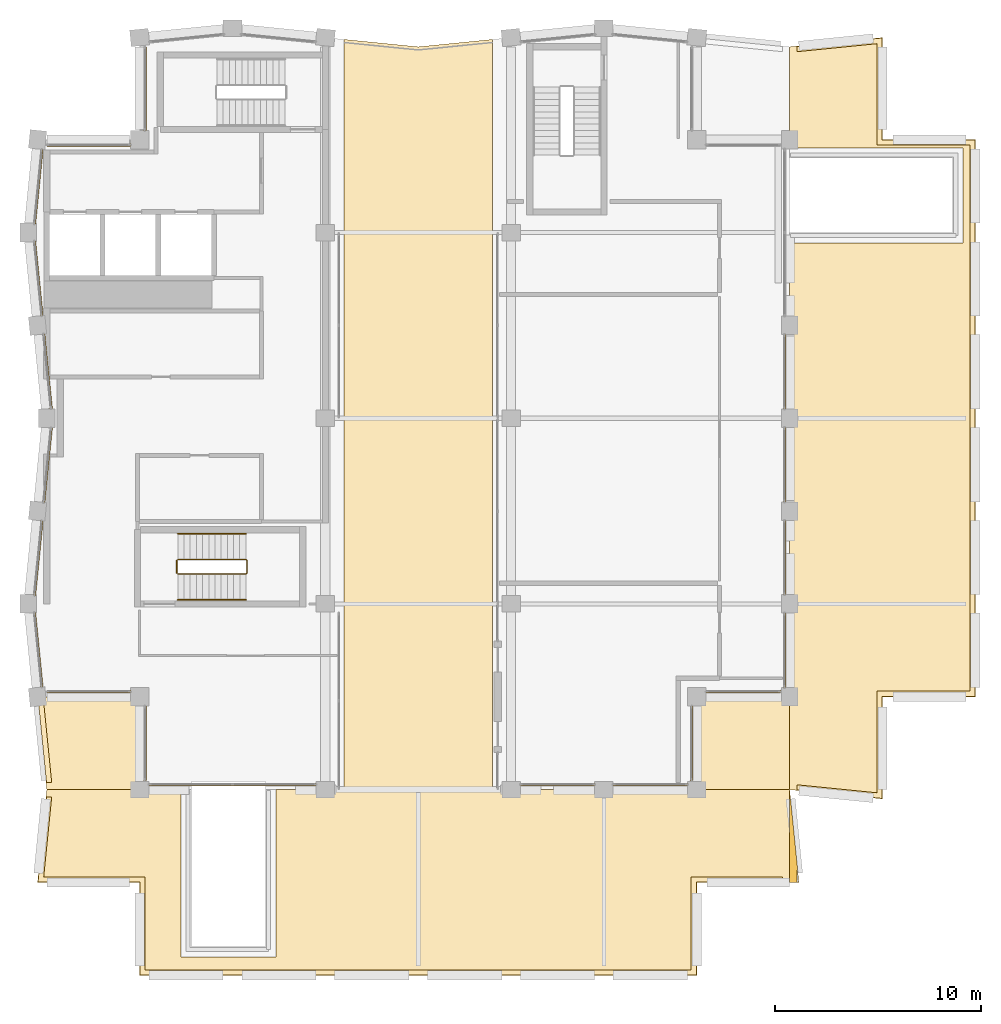
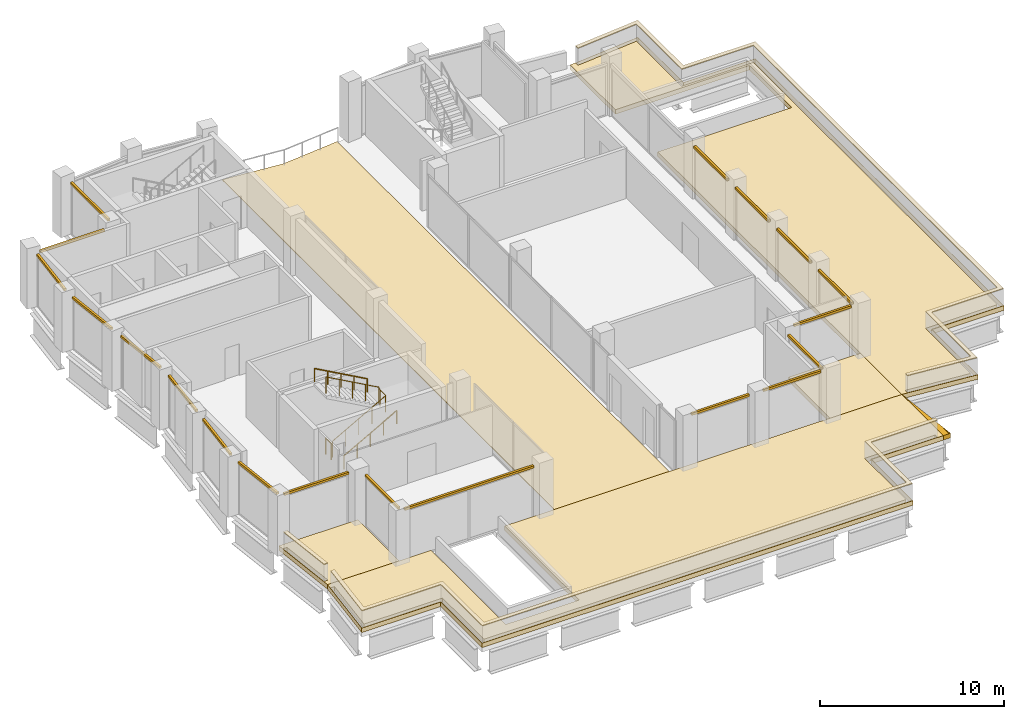
# One storey, part 13 of 14: 28 coverings, 4 railings.
"""IFC4 building model written with IfcOpenShell, lengths in metres."""

from ifc_helpers import new_model, si_unit, direction, frame, origin, origin_2d, place, context, subcontext, project, spatial, polyline, rectangle, circle, outline, extrude, material, layer, layer_set, type_object, element, save


model = new_model("IFC4")

# Units and contexts
model_context = context("Model", 3, precision=1e-05, world=origin(), true_north=direction((0.0, 1.0)))
body_context = subcontext(model_context, "Body", "Model", "MODEL_VIEW")
ifc_project = project(units=[si_unit("LENGTHUNIT", "METRE"), si_unit("AREAUNIT", "SQUARE_METRE"), si_unit("VOLUMEUNIT", "CUBIC_METRE"), si_unit("PLANEANGLEUNIT", "RADIAN"), si_unit("MASSUNIT", "GRAM", prefix="KILO")], contexts=[model_context])

# Site, building, storey
site_placement = place(None, origin())
site = spatial("IfcSite", under=ifc_project, at=site_placement, CompositionType="ELEMENT")
building_placement = place(site_placement, origin())
building = spatial("IfcBuilding", under=site, at=building_placement, Name="Brondeck Convention Tower", CompositionType="ELEMENT")
storey_placement = place(building_placement, frame((0.0, 0.0, 282.800048828125)))
storey = spatial("IfcBuildingStorey", under=building, at=storey_placement, Name="L70", CompositionType="ELEMENT", Elevation=282.800048828125)

# Coverings
ifc_material_1 = material(Name="Aluminium, bronze anodised", Category="aluminium")
ifc_layer_1 = layer(ifc_material_1, 0.10009765625)
ifc_layer_set_1 = layer_set([ifc_layer_1], Name="Curtain wall spandrel panel, bronze anodised aluminium")
covering_type_1 = type_object("IfcCoveringType", Name="Curtain wall spandrel panel, bronze anodised aluminium", PredefinedType="CLADDING", material=ifc_layer_set_1)
covering_1_placement = place(storey_placement, frame((9.0, 27.25, 3.35009765625), z_axis=(0.0, 0.0, 1.0), x_axis=(-1.0, 0.0, 0.0)))
element("IfcCovering", 1, at=covering_1_placement, inside=storey, type_object=covering_type_1, Name="ENV-CW4-L70-K1-K-S-02-SP", PredefinedType="CLADDING", context=body_context, shape_type="SweptSolid", body=[
    extrude(rectangle(XDim=8.10009765625, YDim=0.139892578125, at=origin_2d()), origin(), (0.0, 0.0, 1.0), 0.14990234375),
])
for number, where, z_axis, x_axis, name in (
    (2, (4.75, 60.97509765625, 3.35009765625), (0.0, 0.0, 1.0), (0.0, 1.0, 0.0), "ENV-CW4-L70-K1-NC-NW-01-SP"),
    (3, (2.02490234375, 58.25, 3.35009765625), (0.0, 0.0, 1.0), (1.0, 0.0, 0.0), "ENV-CW4-L70-K1-NC-NW-02-SP"),
):
    element("IfcCovering", number, at=place(storey_placement, frame(where, z_axis=z_axis, x_axis=x_axis)), inside=storey, type_object=covering_type_1, Name=name, PredefinedType="CLADDING", context=body_context, shape_type="SweptSolid", body=[
        extrude(rectangle(XDim=4.050048828125, YDim=0.139892578125, at=origin_2d()), origin(), (0.0, 0.0, 1.0), 0.14990234375),
    ])
for number, where, z_axis, x_axis, name in (
    (4, (-0.42626953125, 56.22509765625, 3.35009765625), (0.0, 0.0, 1.0), (0.0995038382, 0.995037178292, 0.0), "ENV-CW4-L70-K1-B-W-01-SP"),
    (5, (-0.42626953125, 51.77490234375, 3.35009765625), (0.0, 0.0, 1.0), (-0.0995038382, 0.995037178292, 0.0), "ENV-CW4-L70-K1-B-W-02-SP"),
    (6, (0.023681640625, 47.27490234375, 3.35009765625), (0.0, 0.0, 1.0), (-0.0995038382, 0.995037178292, 0.0), "ENV-CW4-L70-K1-B-W-03-SP"),
    (7, (0.023681640625, 42.72509765625, 3.35009765625), (0.0, 0.0, 1.0), (0.0995038382, 0.995037178292, 0.0), "ENV-CW4-L70-K1-B-W-04-SP"),
    (8, (-0.42626953125, 38.22509765625, 3.35009765625), (0.0, 0.0, 1.0), (0.0995038382, 0.995037178292, 0.0), "ENV-CW4-L70-K1-B-W-05-SP"),
    (9, (-0.42626953125, 33.77490234375, 3.35009765625), (0.0, 0.0, 1.0), (-0.0995038382, 0.995037178292, 0.0), "ENV-CW4-L70-K1-B-W-06-SP"),
):
    element("IfcCovering", number, at=place(storey_placement, frame(where, z_axis=z_axis, x_axis=x_axis)), inside=storey, type_object=covering_type_1, Name=name, PredefinedType="CLADDING", context=body_context, shape_type="SweptSolid", body=[
        extrude(rectangle(XDim=3.622314453125, YDim=0.139892578125, at=origin_2d()), origin(), (0.0, 0.0, 1.0), 0.14990234375),
    ])
covering_2_placement = place(storey_placement, frame((2.02490234375, 31.75, 3.35009765625), z_axis=(0.0, 0.0, 1.0), x_axis=(-1.0, 0.0, 0.0)))
element("IfcCovering", 10, at=covering_2_placement, inside=storey, type_object=covering_type_1, Name="ENV-CW4-L70-K1-NC-KSW-01-SP", PredefinedType="CLADDING", context=body_context, shape_type="SweptSolid", body=[
    extrude(rectangle(XDim=4.050048828125, YDim=0.139892578125, at=origin_2d()), origin(), (0.0, 0.0, 1.0), 0.14990234375),
])
for number, where, z_axis, x_axis, name in (
    (11, (4.75, 29.25, 3.35009765625), (0.0, 0.0, 1.0), (0.0, 1.0, 0.0), "ENV-CW4-L70-K1-NC-KSW-02-SP"),
    (12, (24.75, 27.25, 3.35009765625), (0.0, 0.0, 1.0), (-1.0, 0.0, 0.0), "ENV-CW4-L70-K2-K-S-00-SP"),
    (13, (29.25, 27.25, 3.35009765625), (0.0, 0.0, 1.0), (-1.0, 0.0, 0.0), "ENV-CW4-L70-K2-K-S-01-SP"),
    (14, (31.25, 29.25, 3.35009765625), (0.0, 0.0, 1.0), (0.0, -1.0, 0.0), "ENV-CW4-L70-K2-NC-KSE-01-SP"),
    (15, (33.75, 31.75, 3.35009765625), (0.0, 0.0, 1.0), (-1.0, 0.0, 0.0), "ENV-CW4-L70-K2-NC-KSE-02-SP"),
    (16, (35.75, 33.75, 3.35009765625), (0.0, 0.0, 1.0), (0.0, -1.0, 0.0), "ENV-CW4-L70-K2-K-E-01-SP"),
    (17, (35.75, 38.25, 3.35009765625), (0.0, 0.0, 1.0), (0.0, -1.0, 0.0), "ENV-CW4-L70-K2-K-E-02-SP"),
    (18, (35.75, 42.75, 3.35009765625), (0.0, 0.0, 1.0), (0.0, -1.0, 0.0), "ENV-CW4-L70-K2-K-E-03-SP"),
    (19, (35.75, 47.25, 3.35009765625), (0.0, 0.0, 1.0), (0.0, -1.0, 0.0), "ENV-CW4-L70-K2-K-E-04-SP"),
):
    element("IfcCovering", number, at=place(storey_placement, frame(where, z_axis=z_axis, x_axis=x_axis)), inside=storey, type_object=covering_type_1, Name=name, PredefinedType="CLADDING", context=body_context, shape_type="SweptSolid", body=[
        extrude(rectangle(XDim=3.60009765625, YDim=0.139892578125, at=origin_2d()), origin(), (0.0, 0.0, 1.0), 0.14990234375),
    ])
ifc_material_2 = material(Name="Precast concrete C50/60", Category="concrete")
ifc_layer_2 = layer(ifc_material_2, 0.050048828125)
ifc_layer_set_2 = layer_set([ifc_layer_2], Name="Parapet coping, precast")
covering_type_2 = type_object("IfcCoveringType", Name="Parapet coping, precast", PredefinedType="MOLDING", material=ifc_layer_set_2)
covering_3_placement = place(storey_placement, frame((0.0, 0.0, 1.39990234375)))
element("IfcCovering", 20, at=covering_3_placement, inside=storey, type_object=covering_type_2, Name="ENV-S4-A-PA-01-CP", PredefinedType="MOLDING", context=body_context, shape_type="SweptSolid", body=[
    extrude(outline(polyline([(40.47998046875, 63.427978515625), (36.35009765625, 63.014892578125), (36.35009765625, 62.763671875), (40.22998046875, 63.151611328125), (40.22998046875, 58.22998046875), (44.72998046875, 58.22998046875), (44.72998046875, 31.77001953125), (40.22998046875, 31.77001953125), (40.22998046875, 26.848388671875), (36.35009765625, 27.236328125), (36.35009765625, 26.985107421875), (40.47998046875, 26.572021484375), (40.47998046875, 31.52001953125), (44.97998046875, 31.52001953125), (44.97998046875, 58.47998046875), (40.47998046875, 58.47998046875), (40.47998046875, 63.427978515625)])), origin(), (0.0, 0.0, 1.0), 0.050048828125),
])
covering_4_placement = place(storey_placement, frame((0.0, 0.0, 1.39990234375)))
element("IfcCovering", 21, at=covering_4_placement, inside=storey, type_object=covering_type_2, Name="ENV-S4-B-PA-01-CP", PredefinedType="MOLDING", context=body_context, shape_type="SweptSolid", body=[
    extrude(outline(polyline([(4.52001953125, 18.02001953125), (31.47998046875, 18.02001953125), (31.47998046875, 22.52001953125), (35.64990234375, 22.52001953125), (35.64990234375, 22.77001953125), (31.22998046875, 22.77001953125), (31.22998046875, 18.27001953125), (4.77001953125, 18.27001953125), (4.77001953125, 22.77001953125), (-0.151611328125, 22.77001953125), (0.236328125, 26.64990234375), (-0.014892578125, 26.64990234375), (-0.427978515625, 22.52001953125), (4.52001953125, 22.52001953125), (4.52001953125, 18.02001953125)])), origin(), (0.0, 0.0, 1.0), 0.050048828125),
])
covering_5_placement = place(storey_placement, frame((0.0, 0.0, 1.39990234375)))
element("IfcCovering", 22, at=covering_5_placement, inside=storey, type_object=covering_type_2, Name="ENV-S4-C1-PA-01-CP", PredefinedType="MOLDING", context=body_context, shape_type="SweptSolid", body=[
    extrude(outline(polyline([(-0.39501953125, 31.14990234375), (-0.014892578125, 27.35009765625), (0.236328125, 27.35009765625), (-0.143798828125, 31.14990234375), (-0.39501953125, 31.14990234375)])), origin(), (0.0, 0.0, 1.0), 0.050048828125),
])
ifc_material_3 = material(Name="Bitumen membrane")
ifc_layer_3 = layer(ifc_material_3, 0.02001953125, Name="Waterproofing")
ifc_material_4 = material(Name="Mineral wool")
ifc_layer_4 = layer(ifc_material_4, 0.280029296875, Name="Insulation")
ifc_layer_set_3 = layer_set([ifc_layer_3, ifc_layer_4], Name="Roof membrane and insulation")
covering_type_3 = type_object("IfcCoveringType", Name="Roof membrane and insulation", PredefinedType="ROOFING", material=ifc_layer_set_3)
covering_6_placement = place(storey_placement, origin())
element("IfcCovering", 23, at=covering_6_placement, inside=storey, type_object=covering_type_3, Name="ENV-S4-A-RF1", PredefinedType="ROOFING", context=body_context, shape_type="SweptSolid", body=[
    extrude(outline(polyline([(36.0, 53.5), (36.0, 31.5), (36.0, 27.0), (40.5, 26.550048828125), (40.5, 27.0), (40.5, 31.5), (45.0, 31.5), (45.0, 58.5), (40.5, 58.5), (40.5, 63.449951171875), (36.0, 63.0), (36.0, 58.5), (36.0, 58.10009765625), (44.39990234375, 58.10009765625), (44.39990234375, 53.5), (36.0, 53.5)]), holes=[polyline([(36.35009765625, 63.014892578125), (40.47998046875, 63.427978515625), (40.47998046875, 58.47998046875), (44.97998046875, 58.47998046875), (44.97998046875, 31.52001953125), (40.47998046875, 31.52001953125), (40.47998046875, 26.572021484375), (36.35009765625, 26.985107421875), (36.35009765625, 27.236328125), (40.22998046875, 26.848388671875), (40.22998046875, 31.77001953125), (44.72998046875, 31.77001953125), (44.72998046875, 58.22998046875), (40.22998046875, 58.22998046875), (40.22998046875, 63.151611328125), (36.35009765625, 62.763671875), (36.35009765625, 63.014892578125)])]), origin(), (0.0, 0.0, 1.0), 0.300048828125),
])
covering_7_placement = place(storey_placement, origin())
element("IfcCovering", 24, at=covering_7_placement, inside=storey, type_object=covering_type_3, Name="ENV-S4-A-RF2", PredefinedType="ROOFING", context=body_context, shape_type="SweptSolid", body=[
    extrude(outline(polyline([(36.0, 22.5), (36.449951171875, 22.5), (36.0, 27.0), (36.0, 22.5)]), holes=[polyline([(36.427978515625, 22.52001953125), (36.35009765625, 22.52001953125), (36.35009765625, 23.299072265625), (36.427978515625, 22.52001953125)])]), origin(), (0.0, 0.0, 1.0), 0.300048828125),
])
covering_8_placement = place(storey_placement, origin())
element("IfcCovering", 25, at=covering_8_placement, inside=storey, type_object=covering_type_3, Name="ENV-S4-B-RF1", PredefinedType="ROOFING", context=body_context, shape_type="SweptSolid", body=[
    extrude(outline(polyline([(4.5, 18.0), (31.5, 18.0), (31.5, 22.5), (36.0, 22.5), (36.0, 27.0), (31.5, 27.0), (21.60009765625, 27.0), (14.39990234375, 27.0), (11.10009765625, 27.0), (11.10009765625, 18.89990234375), (6.5, 18.89990234375), (6.5, 27.0), (4.5, 27.0), (0.0, 27.0), (-0.449951171875, 22.5), (4.5, 22.5), (4.5, 18.0)]), holes=[polyline([(31.47998046875, 18.02001953125), (4.52001953125, 18.02001953125), (4.52001953125, 22.52001953125), (-0.427978515625, 22.52001953125), (-0.014892578125, 26.64990234375), (0.236328125, 26.64990234375), (-0.151611328125, 22.77001953125), (4.77001953125, 22.77001953125), (4.77001953125, 18.27001953125), (31.22998046875, 18.27001953125), (31.22998046875, 22.77001953125), (35.64990234375, 22.77001953125), (35.64990234375, 22.52001953125), (31.47998046875, 22.52001953125), (31.47998046875, 18.02001953125)])]), origin(), (0.0, 0.0, 1.0), 0.300048828125),
])
covering_9_placement = place(storey_placement, origin())
element("IfcCovering", 26, at=covering_9_placement, inside=storey, type_object=covering_type_3, Name="ENV-S4-C1-RF1", PredefinedType="ROOFING", context=body_context, shape_type="SweptSolid", body=[
    extrude(outline(polyline([(4.5, 27.0), (4.5, 31.5), (-0.449951171875, 31.5), (0.0, 27.0), (4.5, 27.0)]), holes=[polyline([(-0.014892578125, 27.35009765625), (-0.39501953125, 31.14990234375), (-0.143798828125, 31.14990234375), (0.236328125, 27.35009765625), (-0.014892578125, 27.35009765625)])]), origin(), (0.0, 0.0, 1.0), 0.300048828125),
])
covering_10_placement = place(storey_placement, origin())
element("IfcCovering", 27, at=covering_10_placement, inside=storey, type_object=covering_type_3, Name="ENV-S4-C3-RF1", PredefinedType="ROOFING", context=body_context, shape_type="SweptSolid", body=[
    extrude(outline(polyline([(31.5, 27.0), (36.0, 27.0), (36.0, 31.5), (31.5, 31.5), (31.5, 27.0)])), origin(), (0.0, 0.0, 1.0), 0.300048828125),
])

# Railings
ifc_material_5 = material(Name="Steel S355", Category="steel")
railing_type_1 = type_object("IfcRailingType", Name="Stair guard 1100", PredefinedType="GUARDRAIL", material=ifc_material_5)
railing_1_placement = place(storey_placement, frame((6.35009765625, 37.449951171875, 0.16650390625)))
element("IfcRailing", 28, at=railing_1_placement, inside=storey, type_object=railing_type_1, Name="L70 ST-1 stair guard 1", PredefinedType="GUARDRAIL", context=body_context, shape_type="SweptSolid", body=[
    extrude(circle(Radius=0.02392578125, at=origin_2d()), frame((0.0, 0.0, 1.076171875), z_axis=(0.874126768038, 0.0, 0.485697841667), x_axis=(0.0, 1.0, 0.0)), (0.0, 0.0, 1.0), 3.77490234375),
    extrude(circle(Radius=0.02392578125, at=origin_2d()), frame((3.2998046875, 0.0, 2.90966796875), z_axis=(0.707106781187, 0.707106781187, 0.0), x_axis=(-0.707106781187, 0.707106781187, 0.0)), (0.0, 0.0, 1.0), 0.07080078125),
    extrude(circle(Radius=0.02392578125, at=origin_2d()), frame((3.349853515625, 0.050048828125, 2.90966796875), z_axis=(0.0, 1.0, 0.0), x_axis=(-1.0, 0.0, 0.0)), (0.0, 0.0, 1.0), 0.60009765625),
    extrude(circle(Radius=0.02392578125, at=origin_2d()), frame((3.349853515625, 0.650146484375, 2.90966796875), z_axis=(-0.276732813696, 0.275382897532, 0.920642824102), x_axis=(-0.705375805398, -0.708833529934, 0.0)), (0.0, 0.0, 1.0), 0.180908203125),
    extrude(circle(Radius=0.02392578125, at=origin_2d()), frame((3.2998046875, 0.699951171875, 3.076171875), z_axis=(-0.874126768038, 0.0, 0.485697841667), x_axis=(0.0, -1.0, 0.0)), (0.0, 0.0, 1.0), 3.77490234375),
    extrude(circle(Radius=0.02099609375, at=origin_2d()), origin(), (0.0, 0.0, 1.0), 1.052001953125),
    extrude(circle(Radius=0.02099609375, at=origin_2d()), frame((0.824951171875, 0.0, 0.45849609375)), (0.0, 0.0, 1.0), 1.052001953125),
    extrude(circle(Radius=0.02099609375, at=origin_2d()), frame((1.64990234375, 0.0, 0.916748046875)), (0.0, 0.0, 1.0), 1.052001953125),
    extrude(circle(Radius=0.02099609375, at=origin_2d()), frame((2.474853515625, 0.0, 1.375)), (0.0, 0.0, 1.0), 1.052001953125),
    extrude(circle(Radius=0.02099609375, at=origin_2d()), frame((3.2998046875, 0.0, 1.83349609375)), (0.0, 0.0, 1.0), 1.052001953125),
    extrude(circle(Radius=0.02099609375, at=origin_2d()), frame((3.349853515625, 0.050048828125, 1.83349609375)), (0.0, 0.0, 1.0), 1.052001953125),
    extrude(circle(Radius=0.02099609375, at=origin_2d()), frame((3.349853515625, 0.650146484375, 1.83349609375)), (0.0, 0.0, 1.0), 1.052001953125),
    extrude(circle(Radius=0.02099609375, at=origin_2d()), frame((3.2998046875, 0.699951171875, 2.0)), (0.0, 0.0, 1.0), 1.052001953125),
    extrude(circle(Radius=0.02099609375, at=origin_2d()), frame((2.474853515625, 0.699951171875, 2.45849609375)), (0.0, 0.0, 1.0), 1.052001953125),
    extrude(circle(Radius=0.02099609375, at=origin_2d()), frame((1.64990234375, 0.699951171875, 2.916748046875)), (0.0, 0.0, 1.0), 1.052001953125),
    extrude(circle(Radius=0.02099609375, at=origin_2d()), frame((0.824951171875, 0.699951171875, 3.375)), (0.0, 0.0, 1.0), 1.052001953125),
    extrude(circle(Radius=0.02099609375, at=origin_2d()), frame((0.0, 0.699951171875, 3.83349609375)), (0.0, 0.0, 1.0), 1.052001953125),
])
railing_2_placement = place(storey_placement, frame((6.300048828125, 37.5, 0.0)))
element("IfcRailing", 29, at=railing_2_placement, inside=storey, type_object=railing_type_1, Name="L70 ST-1 stair guard 2", PredefinedType="GUARDRAIL", context=body_context, shape_type="SweptSolid", body=[
    extrude(circle(Radius=0.02392578125, at=origin_2d()), frame((0.0, 0.0, 1.076171875), z_axis=(0.0, 1.0, 0.0), x_axis=(-1.0, 0.0, 0.0)), (0.0, 0.0, 1.0), 0.60009765625),
    extrude(circle(Radius=0.02099609375, at=origin_2d()), origin(), (0.0, 0.0, 1.0), 1.052001953125),
    extrude(circle(Radius=0.02099609375, at=origin_2d()), frame((0.0, 0.60009765625, 0.0)), (0.0, 0.0, 1.0), 1.052001953125),
])
railing_type_2 = type_object("IfcRailingType", Name="Stair handrail", PredefinedType="HANDRAIL", material=ifc_material_5)
railing_3_placement = place(storey_placement, frame((6.35009765625, 36.199951171875, 0.16650390625)))
element("IfcRailing", 30, at=railing_3_placement, inside=storey, type_object=railing_type_2, Name="L70 ST-1 stair handrail 1", PredefinedType="HANDRAIL", context=body_context, shape_type="SweptSolid", body=[
    extrude(circle(Radius=0.02392578125, at=origin_2d()), frame((0.0, 0.0, 0.8759765625), z_axis=(0.874126768038, 0.0, 0.485697841667), x_axis=(0.0, 1.0, 0.0)), (0.0, 0.0, 1.0), 3.77490234375),
    extrude(circle(Radius=0.02099609375, at=origin_2d()), origin(), (0.0, 0.0, 1.0), 0.851806640625),
    extrude(circle(Radius=0.02099609375, at=origin_2d()), frame((0.824951171875, 0.0, 0.45849609375)), (0.0, 0.0, 1.0), 0.851806640625),
    extrude(circle(Radius=0.02099609375, at=origin_2d()), frame((1.64990234375, 0.0, 0.916748046875)), (0.0, 0.0, 1.0), 0.851806640625),
    extrude(circle(Radius=0.02099609375, at=origin_2d()), frame((2.474853515625, 0.0, 1.375)), (0.0, 0.0, 1.0), 0.851806640625),
    extrude(circle(Radius=0.02099609375, at=origin_2d()), frame((3.2998046875, 0.0, 1.83349609375)), (0.0, 0.0, 1.0), 0.851806640625),
])
railing_4_placement = place(storey_placement, frame((9.64990234375, 39.39990234375, 2.16650390625)))
element("IfcRailing", 31, at=railing_4_placement, inside=storey, type_object=railing_type_2, Name="L70 ST-1 stair handrail 2", PredefinedType="HANDRAIL", context=body_context, shape_type="SweptSolid", body=[
    extrude(circle(Radius=0.02392578125, at=origin_2d()), frame((0.0, 0.0, 0.8759765625), z_axis=(-0.874126768038, 0.0, 0.485697841667), x_axis=(0.0, -1.0, 0.0)), (0.0, 0.0, 1.0), 3.77490234375),
    extrude(circle(Radius=0.02099609375, at=origin_2d()), origin(), (0.0, 0.0, 1.0), 0.851806640625),
    extrude(circle(Radius=0.02099609375, at=origin_2d()), frame((-0.824951171875, 0.0, 0.45849609375)), (0.0, 0.0, 1.0), 0.851806640625),
    extrude(circle(Radius=0.02099609375, at=origin_2d()), frame((-1.64990234375, 0.0, 0.916748046875)), (0.0, 0.0, 1.0), 0.851806640625),
    extrude(circle(Radius=0.02099609375, at=origin_2d()), frame((-2.474853515625, 0.0, 1.375)), (0.0, 0.0, 1.0), 0.851806640625),
    extrude(circle(Radius=0.02099609375, at=origin_2d()), frame((-3.2998046875, 0.0, 1.83349609375)), (0.0, 0.0, 1.0), 0.851806640625),
])

# Covering
ifc_material_6 = material(Name="Granite paving", Category="masonry")
ifc_layer_5 = layer(ifc_material_6, 0.050048828125)
ifc_layer_set_4 = layer_set([ifc_layer_5], Name="Terrace paving")
covering_type_4 = type_object("IfcCoveringType", Name="Terrace paving", PredefinedType="FLOORING", material=ifc_layer_set_4)
covering_11_placement = place(storey_placement, origin())
element("IfcCovering", 32, at=covering_11_placement, inside=storey, type_object=covering_type_4, Name="ENV-S4-SLOT-RF1", PredefinedType="FLOORING", context=body_context, shape_type="SweptSolid", body=[
    extrude(outline(polyline([(14.39990234375, 63.360107421875), (14.39990234375, 63.0), (14.39990234375, 27.0), (21.60009765625, 27.0), (21.60009765625, 63.0), (21.60009765625, 63.360107421875), (18.0, 63.0), (14.39990234375, 63.360107421875)])), origin(), (0.0, 0.0, 1.0), 0.050048828125),
])

save(model, "model.ifc")
